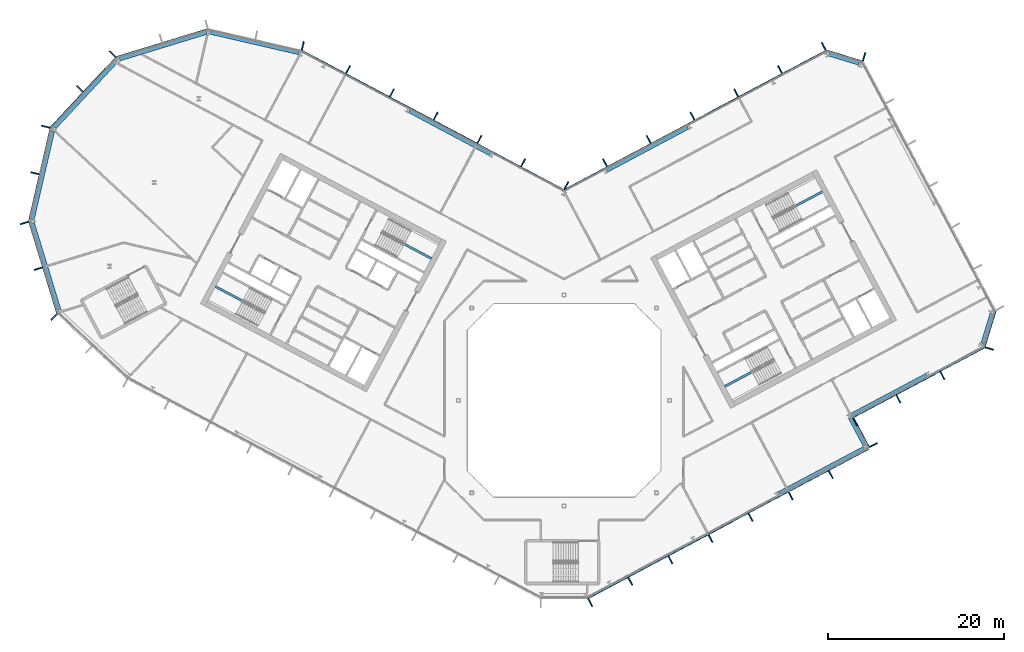
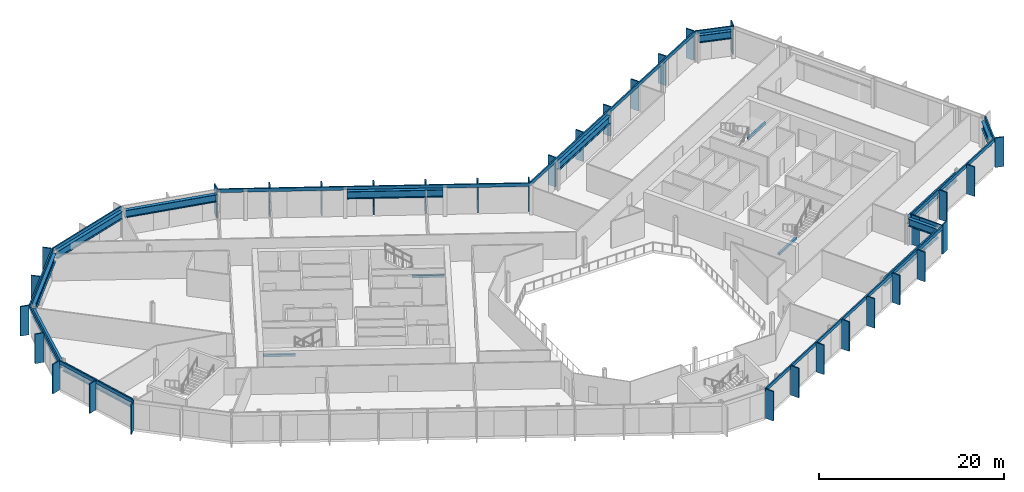
# One storey, part 9 of 26: 44 members, 16 beams, 13 elements without a shape of their own.
"""IFC4 building model written with IfcOpenShell, lengths in metres."""

from ifc_helpers import new_model, si_unit, direction, frame, origin, origin_2d, place, context, subcontext, project, spatial, rectangle, i_section, extrude, material, layer, layer_set, material_profile, profile_set, type_object, element, aggregate, save


model = new_model("IFC4")

# Units and contexts
model_context = context("Model", 3, precision=1e-05, world=origin(), true_north=direction((0.0, 1.0)))
body_context = subcontext(model_context, "Body", "Model", "MODEL_VIEW")
ifc_project = project(units=[si_unit("LENGTHUNIT", "METRE"), si_unit("AREAUNIT", "SQUARE_METRE"), si_unit("VOLUMEUNIT", "CUBIC_METRE"), si_unit("PLANEANGLEUNIT", "RADIAN"), si_unit("MASSUNIT", "GRAM", prefix="KILO")], contexts=[model_context])

# Site, building, storey
site_placement = place(None, origin())
site = spatial("IfcSite", under=ifc_project, at=site_placement, CompositionType="ELEMENT")
building_placement = place(site_placement, origin())
building = spatial("IfcBuilding", under=site, at=building_placement, Name="Cormorant Relay Tower", CompositionType="ELEMENT")
storey_placement = place(building_placement, frame((0.0, 0.0, 228.60009765625)))
storey = spatial("IfcBuildingStorey", under=building, at=storey_placement, Name="L50", CompositionType="ELEMENT", Elevation=228.60009765625)

# Curtain wall, members
ifc_material_1 = material(Name="Aluminium 6063-T6 anodised bronze", Category="aluminium")
ifc_layer = layer(ifc_material_1, 0.199951171875)
ifc_layer_set = layer_set([ifc_layer], Name="CW1 unitised bronze curtain wall with vertical fins")
curtain_wall_type = type_object("IfcCurtainWallType", Name="CW1 unitised bronze curtain wall with vertical fins", PredefinedType="NOTDEFINED", material=ifc_layer_set)
curtain_wall_1_placement = place(storey_placement, origin())
curtain_wall_1 = element("IfcCurtainWall", 1, at=curtain_wall_1_placement, inside=storey, type_object=curtain_wall_type, Name="CW1 curtain wall 2", PredefinedType="NOTDEFINED")
ifc_material_2 = material(Name="Aluminium 6063-T6 anodised bronze", Category="aluminium")
ifc_material_profile_1 = material_profile(ifc_material_2, rectangle(XDim=0.14990234375, YDim=1.0, at=origin_2d()), Name="AL 150x1000")
ifc_profile_set_1 = profile_set([ifc_material_profile_1], Name="Aluminium 6063-T6 anodised bronze")
member_type_1 = type_object("IfcMemberType", Name="CW1 bronze fin mullion 150 x 1000", PredefinedType="MULLION", material=ifc_profile_set_1)
member_1_placement = place(storey_placement, frame((2.9775390625, -22.99365234375, 0.0), z_axis=(0.0, 0.0, 1.0), x_axis=(0.882947592859, 0.469471562786, 0.0)))
member_1 = element("IfcMember", 2, at=member_1_placement, type_object=member_type_1, Name="CW1 fin 2.1", PredefinedType="MULLION", context=body_context, shape_type="SweptSolid", body=[
    extrude(rectangle(XDim=0.14990234375, YDim=1.0, at=origin_2d()), origin(), (0.0, 0.0, 1.0), 3.89990234375),
])
member_2_placement = place(storey_placement, frame((7.539306640625, -20.568115234375, 0.0), z_axis=(0.0, 0.0, 1.0), x_axis=(0.882947592859, 0.469471562786, 0.0)))
member_2 = element("IfcMember", 3, at=member_2_placement, type_object=member_type_1, Name="CW1 fin 2.2", PredefinedType="MULLION", context=body_context, shape_type="SweptSolid", body=[
    extrude(rectangle(XDim=0.14990234375, YDim=1.0, at=origin_2d()), origin(), (0.0, 0.0, 1.0), 3.89990234375),
])
member_3_placement = place(storey_placement, frame((12.10107421875, -18.142578125, 0.0), z_axis=(0.0, 0.0, 1.0), x_axis=(0.882947592859, 0.469471562786, 0.0)))
member_3 = element("IfcMember", 4, at=member_3_placement, type_object=member_type_1, Name="CW1 fin 2.3", PredefinedType="MULLION", context=body_context, shape_type="SweptSolid", body=[
    extrude(rectangle(XDim=0.14990234375, YDim=1.0, at=origin_2d()), origin(), (0.0, 0.0, 1.0), 3.89990234375),
])
member_4_placement = place(storey_placement, frame((16.662841796875, -15.717041015625, 0.0), z_axis=(0.0, 0.0, 1.0), x_axis=(0.882947592859, 0.469471562786, 0.0)))
member_4 = element("IfcMember", 5, at=member_4_placement, type_object=member_type_1, Name="CW1 fin 2.4", PredefinedType="MULLION", context=body_context, shape_type="SweptSolid", body=[
    extrude(rectangle(XDim=0.14990234375, YDim=1.0, at=origin_2d()), origin(), (0.0, 0.0, 1.0), 3.89990234375),
])
member_5_placement = place(storey_placement, frame((21.224609375, -13.29150390625, 0.0), z_axis=(0.0, 0.0, 1.0), x_axis=(0.882947592859, 0.469471562786, 0.0)))
member_5 = element("IfcMember", 6, at=member_5_placement, type_object=member_type_1, Name="CW1 fin 2.5", PredefinedType="MULLION", context=body_context, shape_type="SweptSolid", body=[
    extrude(rectangle(XDim=0.14990234375, YDim=1.0, at=origin_2d()), origin(), (0.0, 0.0, 1.0), 3.89990234375),
])
member_6_placement = place(storey_placement, frame((25.78662109375, -10.865966796875, 0.0), z_axis=(0.0, 0.0, 1.0), x_axis=(0.882947592859, 0.469471562786, 0.0)))
member_6 = element("IfcMember", 7, at=member_6_placement, type_object=member_type_1, Name="CW1 fin 2.6", PredefinedType="MULLION", context=body_context, shape_type="SweptSolid", body=[
    extrude(rectangle(XDim=0.14990234375, YDim=1.0, at=origin_2d()), origin(), (0.0, 0.0, 1.0), 3.89990234375),
])
member_7_placement = place(storey_placement, frame((30.348388671875, -8.440185546875, 0.0), z_axis=(0.0, 0.0, 1.0), x_axis=(0.882947592859, 0.469471562786, 0.0)))
member_7 = element("IfcMember", 8, at=member_7_placement, type_object=member_type_1, Name="CW1 fin 2.7", PredefinedType="MULLION", context=body_context, shape_type="SweptSolid", body=[
    extrude(rectangle(XDim=0.14990234375, YDim=1.0, at=origin_2d()), origin(), (0.0, 0.0, 1.0), 3.89990234375),
])

# Curtain wall, member
curtain_wall_2_placement = place(storey_placement, origin())
curtain_wall_2 = element("IfcCurtainWall", 9, at=curtain_wall_2_placement, inside=storey, type_object=curtain_wall_type, Name="CW1 curtain wall 3", PredefinedType="NOTDEFINED")
member_8_placement = place(storey_placement, frame((35.199462890625, -5.068115234375, 0.0), z_axis=(0.0, 0.0, 1.0), x_axis=(-0.469471562786, 0.882947592859, 0.0)))
member_8 = element("IfcMember", 10, at=member_8_placement, type_object=member_type_1, Name="CW1 fin 3.1", PredefinedType="MULLION", context=body_context, shape_type="SweptSolid", body=[
    extrude(rectangle(XDim=0.14990234375, YDim=1.0, at=origin_2d()), origin(), (0.0, 0.0, 1.0), 3.89990234375),
])

# Curtain wall, members
curtain_wall_3_placement = place(storey_placement, origin())
curtain_wall_3 = element("IfcCurtainWall", 11, at=curtain_wall_3_placement, inside=storey, type_object=curtain_wall_type, Name="CW1 curtain wall 4", PredefinedType="NOTDEFINED")
member_9_placement = place(storey_placement, frame((33.098388671875, -2.44775390625, 0.0), z_axis=(0.0, 0.0, 1.0), x_axis=(0.882947592859, 0.469471562786, 0.0)))
member_9 = element("IfcMember", 12, at=member_9_placement, type_object=member_type_1, Name="CW1 fin 4.1", PredefinedType="MULLION", context=body_context, shape_type="SweptSolid", body=[
    extrude(rectangle(XDim=0.14990234375, YDim=1.0, at=origin_2d()), origin(), (0.0, 0.0, 1.0), 3.89990234375),
])
member_10_placement = place(storey_placement, frame((38.035400390625, 0.177490234375, 0.0), z_axis=(0.0, 0.0, 1.0), x_axis=(0.882947592859, 0.469471562786, 0.0)))
member_10 = element("IfcMember", 13, at=member_10_placement, type_object=member_type_1, Name="CW1 fin 4.2", PredefinedType="MULLION", context=body_context, shape_type="SweptSolid", body=[
    extrude(rectangle(XDim=0.14990234375, YDim=1.0, at=origin_2d()), origin(), (0.0, 0.0, 1.0), 3.89990234375),
])
member_11_placement = place(storey_placement, frame((43.038818359375, 2.837646484375, 0.0), z_axis=(0.0, 0.0, 1.0), x_axis=(0.882947592859, 0.469471562786, 0.0)))
member_11 = element("IfcMember", 14, at=member_11_placement, type_object=member_type_1, Name="CW1 fin 4.3", PredefinedType="MULLION", context=body_context, shape_type="SweptSolid", body=[
    extrude(rectangle(XDim=0.14990234375, YDim=1.0, at=origin_2d()), origin(), (0.0, 0.0, 1.0), 3.89990234375),
])

# Curtain wall, member
curtain_wall_4_placement = place(storey_placement, origin())
curtain_wall_4 = element("IfcCurtainWall", 15, at=curtain_wall_4_placement, inside=storey, type_object=curtain_wall_type, Name="CW1 curtain wall 5", PredefinedType="NOTDEFINED")
member_12_placement = place(storey_placement, frame((48.383056640625, 5.91162109375, 0.0), z_axis=(0.0, 0.0, 1.0), x_axis=(0.292371704723, 0.956304755963, 0.0)))
member_12 = element("IfcMember", 16, at=member_12_placement, type_object=member_type_1, Name="CW1 fin 5.1", PredefinedType="MULLION", context=body_context, shape_type="SweptSolid", body=[
    extrude(rectangle(XDim=0.14990234375, YDim=1.0, at=origin_2d()), origin(), (0.0, 0.0, 1.0), 3.89990234375),
])

curtain_wall_5_placement = place(storey_placement, origin())
curtain_wall_5 = element("IfcCurtainWall", 17, at=curtain_wall_5_placement, inside=storey, type_object=curtain_wall_type, Name="CW1 curtain wall 7", PredefinedType="NOTDEFINED")
member_13_placement = place(storey_placement, frame((34.1357421875, 39.09716796875, 0.0), z_axis=(0.0, 0.0, 1.0), x_axis=(-0.956304755963, 0.292371704723, 0.0)))
member_13 = element("IfcMember", 18, at=member_13_placement, type_object=member_type_1, Name="CW1 fin 7.1", PredefinedType="MULLION", context=body_context, shape_type="SweptSolid", body=[
    extrude(rectangle(XDim=0.14990234375, YDim=1.0, at=origin_2d()), origin(), (0.0, 0.0, 1.0), 3.89990234375),
])

# Curtain wall, members
curtain_wall_6_placement = place(storey_placement, origin())
curtain_wall_6 = element("IfcCurtainWall", 19, at=curtain_wall_6_placement, inside=storey, type_object=curtain_wall_type, Name="CW1 curtain wall 8", PredefinedType="NOTDEFINED")
member_14_placement = place(storey_placement, frame((29.545166015625, 40.2861328125, 0.0), z_axis=(0.0, 0.0, 1.0), x_axis=(-0.882947592859, -0.469471562786, 0.0)))
member_14 = element("IfcMember", 20, at=member_14_placement, type_object=member_type_1, Name="CW1 fin 8.1", PredefinedType="MULLION", context=body_context, shape_type="SweptSolid", body=[
    extrude(rectangle(XDim=0.14990234375, YDim=1.0, at=origin_2d()), origin(), (0.0, 0.0, 1.0), 3.89990234375),
])
member_15_placement = place(storey_placement, frame((24.566162109375, 37.638916015625, 0.0), z_axis=(0.0, 0.0, 1.0), x_axis=(-0.882947592859, -0.469471562786, 0.0)))
member_15 = element("IfcMember", 21, at=member_15_placement, type_object=member_type_1, Name="CW1 fin 8.2", PredefinedType="MULLION", context=body_context, shape_type="SweptSolid", body=[
    extrude(rectangle(XDim=0.14990234375, YDim=1.0, at=origin_2d()), origin(), (0.0, 0.0, 1.0), 3.89990234375),
])
member_16_placement = place(storey_placement, frame((19.587158203125, 34.991455078125, 0.0), z_axis=(0.0, 0.0, 1.0), x_axis=(-0.882947592859, -0.469471562786, 0.0)))
member_16 = element("IfcMember", 22, at=member_16_placement, type_object=member_type_1, Name="CW1 fin 8.3", PredefinedType="MULLION", context=body_context, shape_type="SweptSolid", body=[
    extrude(rectangle(XDim=0.14990234375, YDim=1.0, at=origin_2d()), origin(), (0.0, 0.0, 1.0), 3.89990234375),
])
member_17_placement = place(storey_placement, frame((14.608154296875, 32.343994140625, 0.0), z_axis=(0.0, 0.0, 1.0), x_axis=(-0.882947592859, -0.469471562786, 0.0)))
member_17 = element("IfcMember", 23, at=member_17_placement, type_object=member_type_1, Name="CW1 fin 8.4", PredefinedType="MULLION", context=body_context, shape_type="SweptSolid", body=[
    extrude(rectangle(XDim=0.14990234375, YDim=1.0, at=origin_2d()), origin(), (0.0, 0.0, 1.0), 3.89990234375),
])
member_18_placement = place(storey_placement, frame((9.62939453125, 29.69677734375, 0.0), z_axis=(0.0, 0.0, 1.0), x_axis=(-0.882947592859, -0.469471562786, 0.0)))
member_18 = element("IfcMember", 24, at=member_18_placement, type_object=member_type_1, Name="CW1 fin 8.5", PredefinedType="MULLION", context=body_context, shape_type="SweptSolid", body=[
    extrude(rectangle(XDim=0.14990234375, YDim=1.0, at=origin_2d()), origin(), (0.0, 0.0, 1.0), 3.89990234375),
])
member_19_placement = place(storey_placement, frame((4.650390625, 27.04931640625, 0.0), z_axis=(0.0, 0.0, 1.0), x_axis=(-0.882947592859, -0.469471562786, 0.0)))
member_19 = element("IfcMember", 25, at=member_19_placement, type_object=member_type_1, Name="CW1 fin 8.6", PredefinedType="MULLION", context=body_context, shape_type="SweptSolid", body=[
    extrude(rectangle(XDim=0.14990234375, YDim=1.0, at=origin_2d()), origin(), (0.0, 0.0, 1.0), 3.89990234375),
])

curtain_wall_7_placement = place(storey_placement, origin())
curtain_wall_7 = element("IfcCurtainWall", 26, at=curtain_wall_7_placement, inside=storey, type_object=curtain_wall_type, Name="CW1 curtain wall 9", PredefinedType="NOTDEFINED")
member_20_placement = place(storey_placement, frame((0.262451171875, 24.437255859375, 0.0), z_axis=(0.0, 0.0, 1.0), x_axis=(-0.882947592859, 0.469471562786, 0.0)))
member_20 = element("IfcMember", 27, at=member_20_placement, type_object=member_type_1, Name="CW1 fin 9.1", PredefinedType="MULLION", context=body_context, shape_type="SweptSolid", body=[
    extrude(rectangle(XDim=0.14990234375, YDim=1.0, at=origin_2d()), origin(), (0.0, 0.0, 1.0), 3.89990234375),
])
member_21_placement = place(storey_placement, frame((-4.650390625, 27.04931640625, 0.0), z_axis=(0.0, 0.0, 1.0), x_axis=(-0.882947592859, 0.469471562786, 0.0)))
member_21 = element("IfcMember", 28, at=member_21_placement, type_object=member_type_1, Name="CW1 fin 9.2", PredefinedType="MULLION", context=body_context, shape_type="SweptSolid", body=[
    extrude(rectangle(XDim=0.14990234375, YDim=1.0, at=origin_2d()), origin(), (0.0, 0.0, 1.0), 3.89990234375),
])
member_22_placement = place(storey_placement, frame((-9.62939453125, 29.69677734375, 0.0), z_axis=(0.0, 0.0, 1.0), x_axis=(-0.882947592859, 0.469471562786, 0.0)))
member_22 = element("IfcMember", 29, at=member_22_placement, type_object=member_type_1, Name="CW1 fin 9.3", PredefinedType="MULLION", context=body_context, shape_type="SweptSolid", body=[
    extrude(rectangle(XDim=0.14990234375, YDim=1.0, at=origin_2d()), origin(), (0.0, 0.0, 1.0), 3.89990234375),
])
member_23_placement = place(storey_placement, frame((-14.608154296875, 32.343994140625, 0.0), z_axis=(0.0, 0.0, 1.0), x_axis=(-0.882947592859, 0.469471562786, 0.0)))
member_23 = element("IfcMember", 30, at=member_23_placement, type_object=member_type_1, Name="CW1 fin 9.4", PredefinedType="MULLION", context=body_context, shape_type="SweptSolid", body=[
    extrude(rectangle(XDim=0.14990234375, YDim=1.0, at=origin_2d()), origin(), (0.0, 0.0, 1.0), 3.89990234375),
])
member_24_placement = place(storey_placement, frame((-19.587158203125, 34.991455078125, 0.0), z_axis=(0.0, 0.0, 1.0), x_axis=(-0.882947592859, 0.469471562786, 0.0)))
member_24 = element("IfcMember", 31, at=member_24_placement, type_object=member_type_1, Name="CW1 fin 9.5", PredefinedType="MULLION", context=body_context, shape_type="SweptSolid", body=[
    extrude(rectangle(XDim=0.14990234375, YDim=1.0, at=origin_2d()), origin(), (0.0, 0.0, 1.0), 3.89990234375),
])
member_25_placement = place(storey_placement, frame((-24.566162109375, 37.638916015625, 0.0), z_axis=(0.0, 0.0, 1.0), x_axis=(-0.882947592859, 0.469471562786, 0.0)))
member_25 = element("IfcMember", 32, at=member_25_placement, type_object=member_type_1, Name="CW1 fin 9.6", PredefinedType="MULLION", context=body_context, shape_type="SweptSolid", body=[
    extrude(rectangle(XDim=0.14990234375, YDim=1.0, at=origin_2d()), origin(), (0.0, 0.0, 1.0), 3.89990234375),
])

# Curtain wall, member
curtain_wall_8_placement = place(storey_placement, origin())
curtain_wall_8 = element("IfcCurtainWall", 33, at=curtain_wall_8_placement, inside=storey, type_object=curtain_wall_type, Name="CW1 curtain wall 10", PredefinedType="NOTDEFINED")
member_26_placement = place(storey_placement, frame((-29.71630859375, 40.35009765625, 0.0), z_axis=(0.0, 0.0, 1.0), x_axis=(-0.974370064785, 0.224951054344, 0.0)))
member_26 = element("IfcMember", 34, at=member_26_placement, type_object=member_type_1, Name="CW1 fin 10.1", PredefinedType="MULLION", context=body_context, shape_type="SweptSolid", body=[
    extrude(rectangle(XDim=0.14990234375, YDim=1.0, at=origin_2d()), origin(), (0.0, 0.0, 1.0), 3.89990234375),
])
aggregate(curtain_wall_8, [member_26])

# Curtain wall, members
curtain_wall_9_placement = place(storey_placement, origin())
curtain_wall_9 = element("IfcCurtainWall", 35, at=curtain_wall_9_placement, inside=storey, type_object=curtain_wall_type, Name="CW1 curtain wall 12", PredefinedType="NOTDEFINED")
member_27_placement = place(storey_placement, frame((-51.372802734375, 39.41259765625, 0.0), z_axis=(0.0, 0.0, 1.0), x_axis=(-0.681998360062, -0.731353701619, 0.0)))
member_27 = element("IfcMember", 36, at=member_27_placement, type_object=member_type_1, Name="CW1 fin 12.1", PredefinedType="MULLION", context=body_context, shape_type="SweptSolid", body=[
    extrude(rectangle(XDim=0.14990234375, YDim=1.0, at=origin_2d()), origin(), (0.0, 0.0, 1.0), 3.89990234375),
])
member_28_placement = place(storey_placement, frame((-55.07958984375, 35.4375, 0.0), z_axis=(0.0, 0.0, 1.0), x_axis=(-0.681998360062, -0.731353701619, 0.0)))
member_28 = element("IfcMember", 37, at=member_28_placement, type_object=member_type_1, Name="CW1 fin 12.2", PredefinedType="MULLION", context=body_context, shape_type="SweptSolid", body=[
    extrude(rectangle(XDim=0.14990234375, YDim=1.0, at=origin_2d()), origin(), (0.0, 0.0, 1.0), 3.89990234375),
])

curtain_wall_10_placement = place(storey_placement, origin())
curtain_wall_10 = element("IfcCurtainWall", 38, at=curtain_wall_10_placement, inside=storey, type_object=curtain_wall_type, Name="CW1 curtain wall 13", PredefinedType="NOTDEFINED")
member_29_placement = place(storey_placement, frame((-58.95654296875, 31.142578125, 0.0), z_axis=(0.0, 0.0, 1.0), x_axis=(-0.224951054344, -0.974370064785, 0.0)))
member_29 = element("IfcMember", 39, at=member_29_placement, type_object=member_type_1, Name="CW1 fin 13.1", PredefinedType="MULLION", context=body_context, shape_type="SweptSolid", body=[
    extrude(rectangle(XDim=0.14990234375, YDim=1.0, at=origin_2d()), origin(), (0.0, 0.0, 1.0), 3.89990234375),
])
member_30_placement = place(storey_placement, frame((-60.17919921875, 25.8466796875, 0.0), z_axis=(0.0, 0.0, 1.0), x_axis=(-0.224951054344, -0.974370064785, 0.0)))
member_30 = element("IfcMember", 40, at=member_30_placement, type_object=member_type_1, Name="CW1 fin 13.2", PredefinedType="MULLION", context=body_context, shape_type="SweptSolid", body=[
    extrude(rectangle(XDim=0.14990234375, YDim=1.0, at=origin_2d()), origin(), (0.0, 0.0, 1.0), 3.89990234375),
])

curtain_wall_11_placement = place(storey_placement, origin())
curtain_wall_11 = element("IfcCurtainWall", 41, at=curtain_wall_11_placement, inside=storey, type_object=curtain_wall_type, Name="CW1 curtain wall 14", PredefinedType="NOTDEFINED")
member_31_placement = place(storey_placement, frame((-61.389404296875, 20.188720703125, 0.0), z_axis=(0.0, 0.0, 1.0), x_axis=(0.292371704723, -0.956304755963, 0.0)))
member_31 = element("IfcMember", 42, at=member_31_placement, type_object=member_type_1, Name="CW1 fin 14.1", PredefinedType="MULLION", context=body_context, shape_type="SweptSolid", body=[
    extrude(rectangle(XDim=0.14990234375, YDim=1.0, at=origin_2d()), origin(), (0.0, 0.0, 1.0), 3.89990234375),
])
member_32_placement = place(storey_placement, frame((-59.80029296875, 14.990966796875, 0.0), z_axis=(0.0, 0.0, 1.0), x_axis=(0.292371704723, -0.956304755963, 0.0)))
member_32 = element("IfcMember", 43, at=member_32_placement, type_object=member_type_1, Name="CW1 fin 14.2", PredefinedType="MULLION", context=body_context, shape_type="SweptSolid", body=[
    extrude(rectangle(XDim=0.14990234375, YDim=1.0, at=origin_2d()), origin(), (0.0, 0.0, 1.0), 3.89990234375),
])

# Curtain wall, member
curtain_wall_12_placement = place(storey_placement, origin())
curtain_wall_12 = element("IfcCurtainWall", 44, at=curtain_wall_12_placement, inside=storey, type_object=curtain_wall_type, Name="CW1 curtain wall 15", PredefinedType="NOTDEFINED")
member_33_placement = place(storey_placement, frame((-58.01904296875, 9.486083984375, 0.0), z_axis=(0.0, 0.0, 1.0), x_axis=(0.731353701619, -0.681998360062, 0.0)))
member_33 = element("IfcMember", 45, at=member_33_placement, type_object=member_type_1, Name="CW1 fin 15.1", PredefinedType="MULLION", context=body_context, shape_type="SweptSolid", body=[
    extrude(rectangle(XDim=0.14990234375, YDim=1.0, at=origin_2d()), origin(), (0.0, 0.0, 1.0), 3.89990234375),
])
aggregate(curtain_wall_12, [member_33])

# Member
ifc_material_3 = material(Name="Aluminium 6063-T6 anodised bronze", Category="aluminium")
ifc_material_profile_2 = material_profile(ifc_material_3, rectangle(XDim=0.159912109375, YDim=0.449951171875, at=origin_2d()), Name="AL 160x450")
ifc_profile_set_2 = profile_set([ifc_material_profile_2], Name="Aluminium 6063-T6 anodised bronze")
member_type_2 = type_object("IfcMemberType", Name="CW1 bronze transom 160 x 450", PredefinedType="USERDEFINED", material=ifc_profile_set_2)
member_34_placement = place(storey_placement, frame((2.705078125, -22.4814453125, 3.6748046875), z_axis=(0.882948899141, 0.469469106018, 0.0), x_axis=(-0.469469106018, 0.882948899141, 0.0)))
member_34 = element("IfcMember", 46, at=member_34_placement, type_object=member_type_2, Name="CW1 transom 2", ObjectType="TRANSOM", PredefinedType="USERDEFINED", context=body_context, shape_type="SweptSolid", body=[
    extrude(rectangle(XDim=0.159912109375, YDim=0.449951171875, at=origin_2d()), origin(), (0.0, 0.0, 1.0), 36.165771484375),
])

aggregate(curtain_wall_1, [member_1, member_2, member_3, member_4, member_5, member_6, member_7, member_34])

member_35_placement = place(storey_placement, frame((34.6875, -5.34033203125, 3.6748046875), z_axis=(-0.469485426614, 0.882940221191, 0.0), x_axis=(-0.882940221191, -0.469485426614, 0.0)))
member_35 = element("IfcMember", 47, at=member_35_placement, type_object=member_type_2, Name="CW1 transom 3", ObjectType="TRANSOM", PredefinedType="USERDEFINED", context=body_context, shape_type="SweptSolid", body=[
    extrude(rectangle(XDim=0.159912109375, YDim=0.449951171875, at=origin_2d()), origin(), (0.0, 0.0, 1.0), 4.0),
])

aggregate(curtain_wall_2, [member_8, member_35])

member_36_placement = place(storey_placement, frame((32.760009765625, -1.970947265625, 3.6748046875), z_axis=(0.882941803911, 0.469482450052, 0.0), x_axis=(-0.469482450052, 0.882941803911, 0.0)))
member_36 = element("IfcMember", 48, at=member_36_placement, type_object=member_type_2, Name="CW1 transom 4", ObjectType="TRANSOM", PredefinedType="USERDEFINED", context=body_context, shape_type="SweptSolid", body=[
    extrude(rectangle(XDim=0.159912109375, YDim=0.449951171875, at=origin_2d()), origin(), (0.0, 0.0, 1.0), 17.0),
])

aggregate(curtain_wall_3, [member_9, member_10, member_11, member_36])

member_37_placement = place(storey_placement, frame((47.828369140625, 6.0810546875, 3.6748046875), z_axis=(0.292391046905, 0.95629884225, 0.0), x_axis=(-0.95629884225, 0.292391046905, 0.0)))
member_37 = element("IfcMember", 49, at=member_37_placement, type_object=member_type_2, Name="CW1 transom 5", ObjectType="TRANSOM", PredefinedType="USERDEFINED", context=body_context, shape_type="SweptSolid", body=[
    extrude(rectangle(XDim=0.159912109375, YDim=0.449951171875, at=origin_2d()), origin(), (0.0, 0.0, 1.0), 4.242431640625),
])

aggregate(curtain_wall_4, [member_12, member_37])

member_38_placement = place(storey_placement, frame((33.966064453125, 38.54248046875, 3.6748046875), z_axis=(-0.956303761594, 0.292374957137, 0.0), x_axis=(-0.292374957137, -0.956303761594, 0.0)))
member_38 = element("IfcMember", 50, at=member_38_placement, type_object=member_type_2, Name="CW1 transom 7", ObjectType="TRANSOM", PredefinedType="USERDEFINED", context=body_context, shape_type="SweptSolid", body=[
    extrude(rectangle(XDim=0.159912109375, YDim=0.449951171875, at=origin_2d()), origin(), (0.0, 0.0, 1.0), 4.24267578125),
])

aggregate(curtain_wall_5, [member_13, member_38])

member_39_placement = place(storey_placement, frame((29.8173828125, 39.774169921875, 3.6748046875), z_axis=(-0.882946280328, -0.46947403129, 0.0), x_axis=(0.46947403129, -0.882946280328, 0.0)))
member_39 = element("IfcMember", 51, at=member_39_placement, type_object=member_type_2, Name="CW1 transom 8", ObjectType="TRANSOM", PredefinedType="USERDEFINED", context=body_context, shape_type="SweptSolid", body=[
    extrude(rectangle(XDim=0.159912109375, YDim=0.449951171875, at=origin_2d()), origin(), (0.0, 0.0, 1.0), 33.834228515625),
])

aggregate(curtain_wall_6, [member_14, member_15, member_16, member_17, member_18, member_19, member_39])

member_40_placement = place(storey_placement, frame((0.056396484375, 23.889892578125, 3.6748046875), z_axis=(-0.882946280328, 0.46947403129, 0.0), x_axis=(-0.46947403129, -0.882946280328, 0.0)))
member_40 = element("IfcMember", 52, at=member_40_placement, type_object=member_type_2, Name="CW1 transom 9", ObjectType="TRANSOM", PredefinedType="USERDEFINED", context=body_context, shape_type="SweptSolid", body=[
    extrude(rectangle(XDim=0.159912109375, YDim=0.449951171875, at=origin_2d()), origin(), (0.0, 0.0, 1.0), 33.834228515625),
])

aggregate(curtain_wall_7, [member_20, member_21, member_22, member_23, member_24, member_25, member_40])

# Curtain wall, member
curtain_wall_13_placement = place(storey_placement, origin())
curtain_wall_13 = element("IfcCurtainWall", 53, at=curtain_wall_13_placement, inside=storey, type_object=curtain_wall_type, Name="CW1 curtain wall 11", PredefinedType="NOTDEFINED")
member_41_placement = place(storey_placement, frame((-40.50048828125, 42.228271484375, 3.6748046875), z_axis=(-0.956304833932, -0.292371449698, 0.0), x_axis=(0.292371449698, -0.956304833932, 0.0)))
member_41 = element("IfcMember", 54, at=member_41_placement, type_object=member_type_2, Name="CW1 transom 11", ObjectType="TRANSOM", PredefinedType="USERDEFINED", context=body_context, shape_type="SweptSolid", body=[
    extrude(rectangle(XDim=0.159912109375, YDim=0.449951171875, at=origin_2d()), origin(), (0.0, 0.0, 1.0), 10.87060546875),
])
aggregate(curtain_wall_13, [member_41])

# Member
member_42_placement = place(storey_placement, frame((-50.94873046875, 39.01708984375, 3.6748046875), z_axis=(-0.681993299437, -0.731358420696, 0.0), x_axis=(0.731358420696, -0.681993299437, 0.0)))
member_42 = element("IfcMember", 55, at=member_42_placement, type_object=member_type_2, Name="CW1 transom 12", ObjectType="TRANSOM", PredefinedType="USERDEFINED", context=body_context, shape_type="SweptSolid", body=[
    extrude(rectangle(XDim=0.159912109375, YDim=0.449951171875, at=origin_2d()), origin(), (0.0, 0.0, 1.0), 10.870361328125),
])

aggregate(curtain_wall_9, [member_27, member_28, member_42])

member_43_placement = place(storey_placement, frame((-58.3916015625, 31.01220703125, 3.6748046875), z_axis=(-0.22495136131, -0.974369993916, 0.0), x_axis=(0.974369993916, -0.22495136131, 0.0)))
member_43 = element("IfcMember", 56, at=member_43_placement, type_object=member_type_2, Name="CW1 transom 13", ObjectType="TRANSOM", PredefinedType="USERDEFINED", context=body_context, shape_type="SweptSolid", body=[
    extrude(rectangle(XDim=0.159912109375, YDim=0.449951171875, at=origin_2d()), origin(), (0.0, 0.0, 1.0), 10.870361328125),
])

aggregate(curtain_wall_10, [member_29, member_30, member_43])

member_44_placement = place(storey_placement, frame((-60.834716796875, 20.358154296875, 3.6748046875), z_axis=(0.292377729282, -0.95630291405, 0.0), x_axis=(0.95630291405, 0.292377729282, 0.0)))
member_44 = element("IfcMember", 57, at=member_44_placement, type_object=member_type_2, Name="CW1 transom 14", ObjectType="TRANSOM", PredefinedType="USERDEFINED", context=body_context, shape_type="SweptSolid", body=[
    extrude(rectangle(XDim=0.159912109375, YDim=0.449951171875, at=origin_2d()), origin(), (0.0, 0.0, 1.0), 10.870361328125),
])

aggregate(curtain_wall_11, [member_31, member_32, member_44])

# Beams
ifc_material_4 = material(Name="Steel ASTM A992 (Fy 345 MPa)", Category="steel")
ifc_material_profile_3 = material_profile(ifc_material_4, i_section(OverallWidth=0.4013671875, OverallDepth=0.990478515625, WebThickness=0.0166015625, FlangeThickness=0.031005859375, FilletRadius=0.030029296875, at=origin_2d()), Name="W1000x320")
ifc_profile_set_3 = profile_set([ifc_material_profile_3], Name="Steel ASTM A992 (Fy 345 MPa)")
beam_type_1 = type_object("IfcBeamType", Name="Spandrel W1000x320", PredefinedType="SPANDREL", material=ifc_profile_set_3)
beam_1_placement = place(storey_placement, frame((24.423583984375, -10.5703125, 3.044677734375), z_axis=(0.882952735253, 0.469461891221, 0.0), x_axis=(-0.469461891221, 0.882952735253, 0.0)))
element("IfcBeam", 58, at=beam_1_placement, inside=storey, type_object=beam_type_1, Name="Spandrel beam L50-002", PredefinedType="SPANDREL", context=body_context, shape_type="SweptSolid", body=[
    extrude(i_section(OverallWidth=0.4013671875, OverallDepth=0.990478515625, WebThickness=0.0166015625, FlangeThickness=0.031005859375, FilletRadius=0.030029296875, at=origin_2d()), origin(), (0.0, 0.0, 1.0), 10.96142578125),
])
beam_2_placement = place(storey_placement, frame((34.20458984375, -5.115478515625, 3.044677734375), z_axis=(-0.469423552529, 0.882973118691, 0.0), x_axis=(-0.882973118691, -0.469423552529, 0.0)))
element("IfcBeam", 59, at=beam_2_placement, inside=storey, type_object=beam_type_1, Name="Spandrel beam L50-003", PredefinedType="SPANDREL", context=body_context, shape_type="SweptSolid", body=[
    extrude(i_section(OverallWidth=0.4013671875, OverallDepth=0.990478515625, WebThickness=0.0166015625, FlangeThickness=0.031005859375, FilletRadius=0.030029296875, at=origin_2d()), origin(), (0.0, 0.0, 1.0), 3.56982421875),
])
beam_3_placement = place(storey_placement, frame((32.609375, -1.687744140625, 3.044677734375), z_axis=(0.882948215634, 0.469470391515, 0.0), x_axis=(-0.469470391515, 0.882948215634, 0.0)))
element("IfcBeam", 60, at=beam_3_placement, inside=storey, type_object=beam_type_1, Name="Spandrel beam L50-004", PredefinedType="SPANDREL", context=body_context, shape_type="SweptSolid", body=[
    extrude(i_section(OverallWidth=0.4013671875, OverallDepth=0.990478515625, WebThickness=0.0166015625, FlangeThickness=0.031005859375, FilletRadius=0.030029296875, at=origin_2d()), origin(), (0.0, 0.0, 1.0), 9.79736328125),
])
for number, where, z_axis, x_axis, name in (
    (61, (47.618896484375, 6.4921875, 3.044677734375), (0.292349563537, 0.956311524923, 0.0), (-0.956311524923, 0.292349563537, 0.0), "Spandrel beam L50-005"),
    (62, (33.5546875, 38.3330078125, 3.044677734375), (-0.956311524923, 0.292349563537, 0.0), (-0.292349563537, -0.956311524923, 0.0), "Spandrel beam L50-007"),
):
    element("IfcBeam", number, at=place(storey_placement, frame(where, z_axis=z_axis, x_axis=x_axis)), inside=storey, type_object=beam_type_1, Name=name, PredefinedType="SPANDREL", context=body_context, shape_type="SweptSolid", body=[
        extrude(i_section(OverallWidth=0.4013671875, OverallDepth=0.990478515625, WebThickness=0.0166015625, FlangeThickness=0.031005859375, FilletRadius=0.030029296875, at=origin_2d()), origin(), (0.0, 0.0, 1.0), 3.59765625),
    ])
for number, where, z_axis, x_axis, name in (
    (63, (14.0732421875, 31.03955078125, 3.044677734375), (-0.882949648898, -0.469467695918, 0.0), (0.469467695918, -0.882949648898, 0.0), "Spandrel beam L50-008"),
    (64, (-8.426025390625, 28.036865234375, 3.044677734375), (-0.882949648898, 0.469467695918, 0.0), (-0.469467695918, -0.882949648898, 0.0), "Spandrel beam L50-009"),
):
    element("IfcBeam", number, at=place(storey_placement, frame(where, z_axis=z_axis, x_axis=x_axis)), inside=storey, type_object=beam_type_1, Name=name, PredefinedType="SPANDREL", context=body_context, shape_type="SweptSolid", body=[
        extrude(i_section(OverallWidth=0.4013671875, OverallDepth=0.990478515625, WebThickness=0.0166015625, FlangeThickness=0.031005859375, FilletRadius=0.030029296875, at=origin_2d()), origin(), (0.0, 0.0, 1.0), 10.39599609375),
    ])
beam_4_placement = place(storey_placement, frame((-30.1533203125, 39.526611328125, 3.044677734375), z_axis=(-0.97436619016, 0.22496783653, 0.0), x_axis=(-0.22496783653, -0.97436619016, 0.0)))
element("IfcBeam", 65, at=beam_4_placement, inside=storey, type_object=beam_type_1, Name="Spandrel beam L50-010", PredefinedType="SPANDREL", context=body_context, shape_type="SweptSolid", body=[
    extrude(i_section(OverallWidth=0.4013671875, OverallDepth=0.990478515625, WebThickness=0.0166015625, FlangeThickness=0.031005859375, FilletRadius=0.030029296875, at=origin_2d()), origin(), (0.0, 0.0, 1.0), 10.369384765625),
])
beam_5_placement = place(storey_placement, frame((-40.680419921875, 41.837890625, 3.044677734375), z_axis=(-0.956303094801, -0.292377138084, 0.0), x_axis=(0.292377138084, -0.956303094801, 0.0)))
element("IfcBeam", 66, at=beam_5_placement, inside=storey, type_object=beam_type_1, Name="Spandrel beam L50-011", PredefinedType="SPANDREL", context=body_context, shape_type="SweptSolid", body=[
    extrude(i_section(OverallWidth=0.4013671875, OverallDepth=0.990478515625, WebThickness=0.0166015625, FlangeThickness=0.031005859375, FilletRadius=0.030029296875, at=origin_2d()), origin(), (0.0, 0.0, 1.0), 10.32421875),
])
beam_6_placement = place(storey_placement, frame((-50.90966796875, 38.5888671875, 3.044677734375), z_axis=(-0.681996285296, -0.731355636365, 0.0), x_axis=(0.731355636365, -0.681996285296, 0.0)))
element("IfcBeam", 67, at=beam_6_placement, inside=storey, type_object=beam_type_1, Name="Spandrel beam L50-012", PredefinedType="SPANDREL", context=body_context, shape_type="SweptSolid", body=[
    extrude(i_section(OverallWidth=0.4013671875, OverallDepth=0.990478515625, WebThickness=0.0166015625, FlangeThickness=0.031005859375, FilletRadius=0.030029296875, at=origin_2d()), origin(), (0.0, 0.0, 1.0), 10.32275390625),
])
beam_7_placement = place(storey_placement, frame((-58.143310546875, 30.66162109375, 3.044677734375), z_axis=(-0.224957947919, -0.974368473252, 0.0), x_axis=(0.974368473252, -0.224957947919, 0.0)))
element("IfcBeam", 68, at=beam_7_placement, inside=storey, type_object=beam_type_1, Name="Spandrel beam L50-013", PredefinedType="SPANDREL", context=body_context, shape_type="SweptSolid", body=[
    extrude(i_section(OverallWidth=0.4013671875, OverallDepth=0.990478515625, WebThickness=0.0166015625, FlangeThickness=0.031005859375, FilletRadius=0.030029296875, at=origin_2d()), origin(), (0.0, 0.0, 1.0), 10.32421875),
])
beam_8_placement = place(storey_placement, frame((-60.4443359375, 20.178466796875, 3.044677734375), z_axis=(0.29236873538, -0.956305663777, 0.0), x_axis=(0.956305663777, 0.29236873538, 0.0)))
element("IfcBeam", 69, at=beam_8_placement, inside=storey, type_object=beam_type_1, Name="Spandrel beam L50-014", PredefinedType="SPANDREL", context=body_context, shape_type="SweptSolid", body=[
    extrude(i_section(OverallWidth=0.4013671875, OverallDepth=0.990478515625, WebThickness=0.0166015625, FlangeThickness=0.031005859375, FilletRadius=0.030029296875, at=origin_2d()), origin(), (0.0, 0.0, 1.0), 10.32373046875),
])
ifc_material_5 = material(Name="Concrete 50 MPa", Category="concrete")
ifc_material_profile_4 = material_profile(ifc_material_5, rectangle(XDim=0.25, YDim=0.300048828125, at=origin_2d()), Name="RC 250x300")
ifc_profile_set_4 = profile_set([ifc_material_profile_4], Name="Concrete 50 MPa")
beam_type_2 = type_object("IfcBeamType", Name="Stair landing ledge beam 250x300", PredefinedType="BEAM", material=ifc_profile_set_4)
beam_9_placement = place(storey_placement, frame((-18.219482421875, 17.813720703125, 1.599853515625), z_axis=(0.882950035608, -0.469466968614, 0.0), x_axis=(0.469466968614, 0.882950035608, 0.0)))
element("IfcBeam", 70, at=beam_9_placement, inside=storey, type_object=beam_type_2, Name="A1 landing ledge beam", PredefinedType="BEAM", context=body_context, shape_type="SweptSolid", body=[
    extrude(rectangle(XDim=0.25, YDim=0.300048828125, at=origin_2d()), origin(), (0.0, 0.0, 1.0), 3.5498046875),
])
for number, where, z_axis, x_axis, name in (
    (71, (-36.523193359375, 11.29345703125, 1.599853515625), (-0.88293668587, 0.469492075273, 0.0), (-0.469492075273, -0.88293668587, 0.0), "A2 landing ledge beam"),
    (72, (21.4248046875, 3.265380859375, 1.599853515625), (-0.88296519247, -0.469438461235, 0.0), (0.469438461235, -0.88296519247, 0.0), "B1 landing ledge beam"),
    (73, (26.25439453125, 22.0859375, 1.599853515625), (0.88296519247, 0.469438461235, 0.0), (-0.469438461235, 0.88296519247, 0.0), "B2 landing ledge beam"),
):
    element("IfcBeam", number, at=place(storey_placement, frame(where, z_axis=z_axis, x_axis=x_axis)), inside=storey, type_object=beam_type_2, Name=name, PredefinedType="BEAM", context=body_context, shape_type="SweptSolid", body=[
        extrude(rectangle(XDim=0.25, YDim=0.300048828125, at=origin_2d()), origin(), (0.0, 0.0, 1.0), 3.550048828125),
    ])

save(model, "model.ifc")
